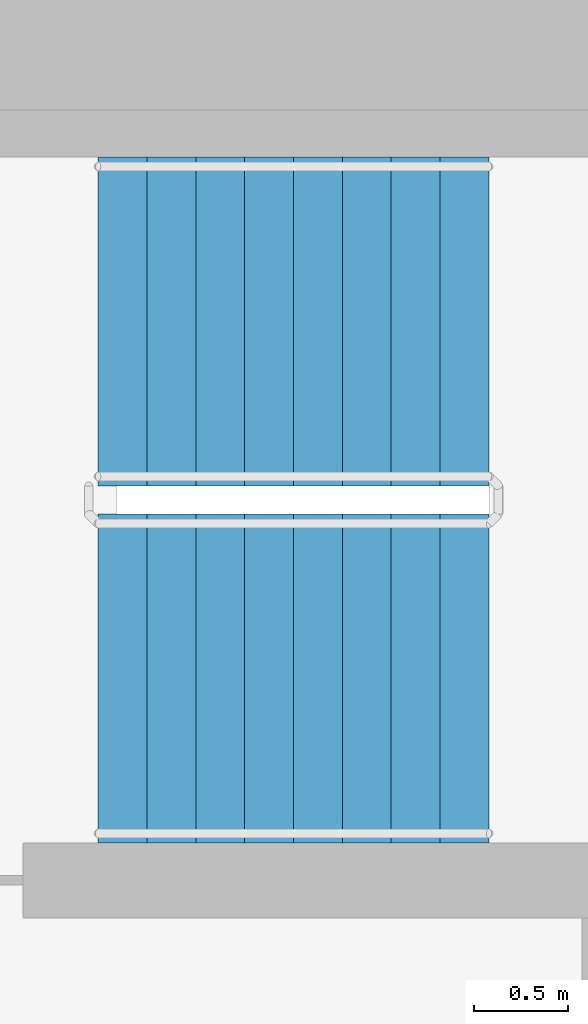
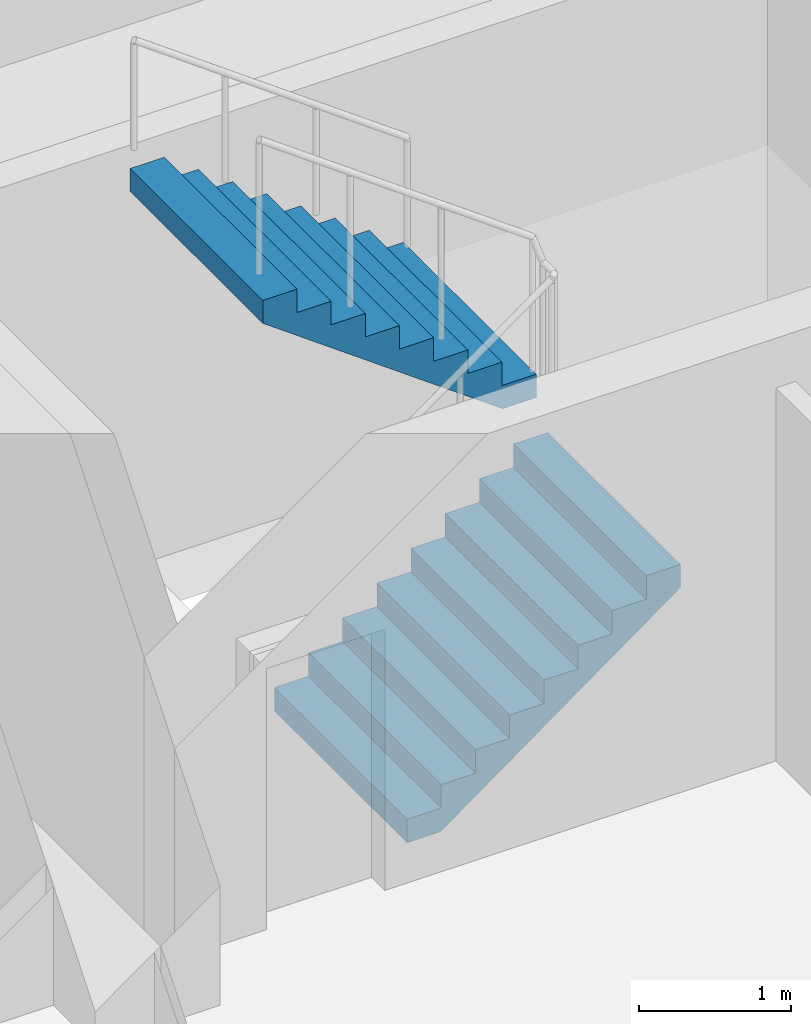
# One storey, part 16 of 21: 2 stair flights, 1 element without a shape of its own.
"""IFC4 building model written with IfcOpenShell, lengths in metres."""

from ifc_helpers import new_model, si_unit, direction, frame, origin, place, context, subcontext, project, spatial, faceted_brep, material, type_object, element, aggregate, save


model = new_model("IFC4")

# Units and contexts
model_context = context("Model", 3, precision=1e-05, world=origin(), true_north=direction((0.0, 1.0)))
body_context = subcontext(model_context, "Body", "Model", "MODEL_VIEW")
ifc_project = project(units=[si_unit("LENGTHUNIT", "METRE"), si_unit("AREAUNIT", "SQUARE_METRE"), si_unit("VOLUMEUNIT", "CUBIC_METRE"), si_unit("PLANEANGLEUNIT", "RADIAN"), si_unit("MASSUNIT", "GRAM", prefix="KILO")], contexts=[model_context])

# Site, building, storey
site_placement = place(None, origin())
site = spatial("IfcSite", under=ifc_project, at=site_placement, CompositionType="ELEMENT")
building_placement = place(site_placement, origin())
building = spatial("IfcBuilding", under=site, at=building_placement, Name="Ipe Terrace Towers", CompositionType="ELEMENT")
storey_placement = place(building_placement, frame((0.0, 0.0, 93.60009765625)))
storey = spatial("IfcBuildingStorey", under=building, at=storey_placement, Name="L25", CompositionType="ELEMENT", Elevation=93.60009765625)

# Stair, stair flights
ifc_material_1 = material(Name="Concrete C30/37", Category="concrete")
stair_type = type_object("IfcStairType", Name="Protected exit stair", PredefinedType="HALF_TURN_STAIR", material=ifc_material_1)
stair_placement = place(storey_placement, origin())
stair = element("IfcStair", 1, at=stair_placement, inside=storey, type_object=stair_type, Name="L25 Exit stair T1-C1", PredefinedType="HALF_TURN_STAIR")
ifc_material_2 = material(Name="Concrete C30/37", Category="concrete")
stair_flight_type = type_object("IfcStairFlightType", Name="Exit stair flight 1750", PredefinedType="STRAIGHT", material=ifc_material_2)
stair_flight_1_placement = place(storey_placement, frame((-26.300048828125, 2.77490234375, 0.0), z_axis=(0.0, 0.0, 1.0), x_axis=(1.0, 0.0, 0.0)))
stair_flight_1 = element("IfcStairFlight", 2, at=stair_flight_1_placement, type_object=stair_flight_type, Name="T1-ST1 flight 1", NumberOfRisers=9, NumberOfTreads=8, PredefinedType="STRAIGHT", RiserHeight=0.188888889, TreadLength=0.26, context=body_context, shape_type="Brep", body=[
    faceted_brep([(0.255126953125, -0.875, 0.0), (2.080078125, -0.875, 1.325927734375), (2.080078125, -0.875, 1.51123046875), (1.820068359375, -0.875, 1.51123046875), (1.820068359375, -0.875, 1.322265625), (1.56005859375, -0.875, 1.322265625), (1.56005859375, -0.875, 1.13330078125), (1.300048828125, -0.875, 1.13330078125), (1.300048828125, -0.875, 0.9443359375), (1.0400390625, -0.875, 0.9443359375), (1.0400390625, -0.875, 0.755615234375), (0.780029296875, -0.875, 0.755615234375), (0.780029296875, -0.875, 0.566650390625), (0.52001953125, -0.875, 0.566650390625), (0.52001953125, -0.875, 0.377685546875), (0.260009765625, -0.875, 0.377685546875), (0.260009765625, -0.875, 0.18896484375), (0.0, -0.875, 0.18896484375), (0.0, -0.875, 0.0), (0.0, 0.875, 0.0), (0.0, 0.875, 0.18896484375), (0.260009765625, 0.875, 0.18896484375), (0.260009765625, 0.875, 0.377685546875), (0.52001953125, 0.875, 0.377685546875), (0.52001953125, 0.875, 0.566650390625), (0.780029296875, 0.875, 0.566650390625), (0.780029296875, 0.875, 0.755615234375), (1.0400390625, 0.875, 0.755615234375), (1.0400390625, 0.875, 0.9443359375), (1.300048828125, 0.875, 0.9443359375), (1.300048828125, 0.875, 1.13330078125), (1.56005859375, 0.875, 1.13330078125), (1.56005859375, 0.875, 1.322265625), (1.820068359375, 0.875, 1.322265625), (1.820068359375, 0.875, 1.51123046875), (2.080078125, 0.875, 1.51123046875), (2.080078125, 0.875, 1.325927734375), (0.255126953125, 0.875, 0.0), (0.0, -0.300048828125, 0.18896484375), (0.0, -0.1201171875, 0.18896484375), (0.0, -0.06005859375, 0.18896484375), (0.0, -0.030029296875, 0.18896484375), (0.0, -0.010009765625, 0.18896484375), (0.0, 0.0, 0.18896484375), (0.0, 0.010009765625, 0.18896484375), (0.0, 0.030029296875, 0.18896484375), (0.0, 0.06005859375, 0.18896484375), (0.0, 0.1201171875, 0.18896484375), (0.0, 0.300048828125, 0.18896484375), (0.0, 0.300048828125, 0.0), (0.0, 0.1201171875, 0.0), (0.0, 0.06005859375, 0.0), (0.0, 0.030029296875, 0.0), (0.0, 0.010009765625, 0.0), (0.0, 0.0, 0.0), (0.0, -0.010009765625, 0.0), (0.0, -0.030029296875, 0.0), (0.0, -0.06005859375, 0.0), (0.0, -0.1201171875, 0.0), (0.0, -0.300048828125, 0.0), (0.260009765625, -0.300048828125, 0.18896484375), (0.260009765625, -0.1201171875, 0.18896484375), (0.260009765625, -0.06005859375, 0.18896484375), (0.260009765625, -0.030029296875, 0.18896484375), (0.260009765625, -0.010009765625, 0.18896484375), (0.260009765625, 0.0, 0.18896484375), (0.260009765625, 0.010009765625, 0.18896484375), (0.260009765625, 0.030029296875, 0.18896484375), (0.260009765625, 0.06005859375, 0.18896484375), (0.260009765625, 0.1201171875, 0.18896484375), (0.260009765625, 0.300048828125, 0.18896484375), (0.260009765625, -0.300048828125, 0.377685546875), (0.260009765625, -0.1201171875, 0.377685546875), (0.260009765625, -0.06005859375, 0.377685546875), (0.260009765625, -0.030029296875, 0.377685546875), (0.260009765625, -0.010009765625, 0.377685546875), (0.260009765625, 0.0, 0.377685546875), (0.260009765625, 0.010009765625, 0.377685546875), (0.260009765625, 0.030029296875, 0.377685546875), (0.260009765625, 0.06005859375, 0.377685546875), (0.260009765625, 0.1201171875, 0.377685546875), (0.260009765625, 0.300048828125, 0.377685546875), (0.52001953125, -0.300048828125, 0.377685546875), (0.52001953125, -0.1201171875, 0.377685546875), (0.52001953125, -0.06005859375, 0.377685546875), (0.52001953125, -0.030029296875, 0.377685546875), (0.52001953125, -0.010009765625, 0.377685546875), (0.52001953125, 0.0, 0.377685546875), (0.52001953125, 0.010009765625, 0.377685546875), (0.52001953125, 0.030029296875, 0.377685546875), (0.52001953125, 0.06005859375, 0.377685546875), (0.52001953125, 0.1201171875, 0.377685546875), (0.52001953125, 0.300048828125, 0.377685546875), (0.52001953125, -0.300048828125, 0.566650390625), (0.52001953125, -0.1201171875, 0.566650390625), (0.52001953125, -0.06005859375, 0.566650390625), (0.52001953125, -0.030029296875, 0.566650390625), (0.52001953125, -0.010009765625, 0.566650390625), (0.52001953125, 0.0, 0.566650390625), (0.52001953125, 0.010009765625, 0.566650390625), (0.52001953125, 0.030029296875, 0.566650390625), (0.52001953125, 0.06005859375, 0.566650390625), (0.52001953125, 0.1201171875, 0.566650390625), (0.52001953125, 0.300048828125, 0.566650390625), (0.780029296875, -0.300048828125, 0.566650390625), (0.780029296875, -0.1201171875, 0.566650390625), (0.780029296875, -0.06005859375, 0.566650390625), (0.780029296875, -0.030029296875, 0.566650390625), (0.780029296875, -0.010009765625, 0.566650390625), (0.780029296875, 0.0, 0.566650390625), (0.780029296875, 0.010009765625, 0.566650390625), (0.780029296875, 0.030029296875, 0.566650390625), (0.780029296875, 0.06005859375, 0.566650390625), (0.780029296875, 0.1201171875, 0.566650390625), (0.780029296875, 0.300048828125, 0.566650390625), (0.780029296875, -0.300048828125, 0.755615234375), (0.780029296875, -0.1201171875, 0.755615234375), (0.780029296875, -0.06005859375, 0.755615234375), (0.780029296875, -0.030029296875, 0.755615234375), (0.780029296875, -0.010009765625, 0.755615234375), (0.780029296875, 0.0, 0.755615234375), (0.780029296875, 0.010009765625, 0.755615234375), (0.780029296875, 0.030029296875, 0.755615234375), (0.780029296875, 0.06005859375, 0.755615234375), (0.780029296875, 0.1201171875, 0.755615234375), (0.780029296875, 0.300048828125, 0.755615234375), (1.0400390625, -0.300048828125, 0.755615234375), (1.0400390625, -0.1201171875, 0.755615234375), (1.0400390625, -0.06005859375, 0.755615234375), (1.0400390625, -0.030029296875, 0.755615234375), (1.0400390625, -0.010009765625, 0.755615234375), (1.0400390625, 0.0, 0.755615234375), (1.0400390625, 0.010009765625, 0.755615234375), (1.0400390625, 0.030029296875, 0.755615234375), (1.0400390625, 0.06005859375, 0.755615234375), (1.0400390625, 0.1201171875, 0.755615234375), (1.0400390625, 0.300048828125, 0.755615234375), (1.0400390625, -0.300048828125, 0.9443359375), (1.0400390625, -0.1201171875, 0.9443359375), (1.0400390625, -0.06005859375, 0.9443359375), (1.0400390625, -0.030029296875, 0.9443359375), (1.0400390625, -0.010009765625, 0.9443359375), (1.0400390625, 0.0, 0.9443359375), (1.0400390625, 0.010009765625, 0.9443359375), (1.0400390625, 0.030029296875, 0.9443359375), (1.0400390625, 0.06005859375, 0.9443359375), (1.0400390625, 0.1201171875, 0.9443359375), (1.0400390625, 0.300048828125, 0.9443359375), (1.300048828125, -0.300048828125, 0.9443359375), (1.300048828125, -0.1201171875, 0.9443359375), (1.300048828125, -0.06005859375, 0.9443359375), (1.300048828125, -0.030029296875, 0.9443359375), (1.300048828125, -0.010009765625, 0.9443359375), (1.300048828125, 0.0, 0.9443359375), (1.300048828125, 0.010009765625, 0.9443359375), (1.300048828125, 0.030029296875, 0.9443359375), (1.300048828125, 0.06005859375, 0.9443359375), (1.300048828125, 0.1201171875, 0.9443359375), (1.300048828125, 0.300048828125, 0.9443359375), (1.300048828125, -0.300048828125, 1.13330078125), (1.300048828125, -0.1201171875, 1.13330078125), (1.300048828125, -0.06005859375, 1.13330078125), (1.300048828125, -0.030029296875, 1.13330078125), (1.300048828125, -0.010009765625, 1.13330078125), (1.300048828125, 0.0, 1.13330078125), (1.300048828125, 0.010009765625, 1.13330078125), (1.300048828125, 0.030029296875, 1.13330078125), (1.300048828125, 0.06005859375, 1.13330078125), (1.300048828125, 0.1201171875, 1.13330078125), (1.300048828125, 0.300048828125, 1.13330078125), (1.56005859375, -0.300048828125, 1.13330078125), (1.56005859375, -0.1201171875, 1.13330078125), (1.56005859375, -0.06005859375, 1.13330078125), (1.56005859375, -0.030029296875, 1.13330078125), (1.56005859375, -0.010009765625, 1.13330078125), (1.56005859375, 0.0, 1.13330078125), (1.56005859375, 0.010009765625, 1.13330078125), (1.56005859375, 0.030029296875, 1.13330078125), (1.56005859375, 0.06005859375, 1.13330078125), (1.56005859375, 0.1201171875, 1.13330078125), (1.56005859375, 0.300048828125, 1.13330078125), (1.56005859375, -0.300048828125, 1.322265625), (1.56005859375, -0.1201171875, 1.322265625), (1.56005859375, -0.06005859375, 1.322265625), (1.56005859375, -0.030029296875, 1.322265625), (1.56005859375, -0.010009765625, 1.322265625), (1.56005859375, 0.0, 1.322265625), (1.56005859375, 0.010009765625, 1.322265625), (1.56005859375, 0.030029296875, 1.322265625), (1.56005859375, 0.06005859375, 1.322265625), (1.56005859375, 0.1201171875, 1.322265625), (1.56005859375, 0.300048828125, 1.322265625), (1.820068359375, -0.300048828125, 1.322265625), (1.820068359375, -0.1201171875, 1.322265625), (1.820068359375, -0.06005859375, 1.322265625), (1.820068359375, -0.030029296875, 1.322265625), (1.820068359375, -0.010009765625, 1.322265625), (1.820068359375, 0.0, 1.322265625), (1.820068359375, 0.010009765625, 1.322265625), (1.820068359375, 0.030029296875, 1.322265625), (1.820068359375, 0.06005859375, 1.322265625), (1.820068359375, 0.1201171875, 1.322265625), (1.820068359375, 0.300048828125, 1.322265625), (1.820068359375, -0.300048828125, 1.51123046875), (1.820068359375, -0.1201171875, 1.51123046875), (1.820068359375, -0.06005859375, 1.51123046875), (1.820068359375, -0.030029296875, 1.51123046875), (1.820068359375, -0.010009765625, 1.51123046875), (1.820068359375, 0.0, 1.51123046875), (1.820068359375, 0.010009765625, 1.51123046875), (1.820068359375, 0.030029296875, 1.51123046875), (1.820068359375, 0.06005859375, 1.51123046875), (1.820068359375, 0.1201171875, 1.51123046875), (1.820068359375, 0.300048828125, 1.51123046875), (2.080078125, -0.300048828125, 1.51123046875), (2.080078125, -0.1201171875, 1.51123046875), (2.080078125, -0.06005859375, 1.51123046875), (2.080078125, -0.030029296875, 1.51123046875), (2.080078125, -0.010009765625, 1.51123046875), (2.080078125, 0.0, 1.51123046875), (2.080078125, 0.010009765625, 1.51123046875), (2.080078125, 0.030029296875, 1.51123046875), (2.080078125, 0.06005859375, 1.51123046875), (2.080078125, 0.1201171875, 1.51123046875), (2.080078125, 0.300048828125, 1.51123046875), (2.080078125, -0.300048828125, 1.325927734375), (2.080078125, -0.1201171875, 1.325927734375), (2.080078125, -0.06005859375, 1.325927734375), (2.080078125, -0.030029296875, 1.325927734375), (2.080078125, -0.010009765625, 1.325927734375), (2.080078125, 0.0, 1.325927734375), (2.080078125, 0.010009765625, 1.325927734375), (2.080078125, 0.030029296875, 1.325927734375), (2.080078125, 0.06005859375, 1.325927734375), (2.080078125, 0.1201171875, 1.325927734375), (2.080078125, 0.300048828125, 1.325927734375), (0.255126953125, -0.300048828125, 0.0), (0.255126953125, -0.1201171875, 0.0), (0.255126953125, -0.06005859375, 0.0), (0.255126953125, -0.030029296875, 0.0), (0.255126953125, -0.010009765625, 0.0), (0.255126953125, 0.0, 0.0), (0.255126953125, 0.010009765625, 0.0), (0.255126953125, 0.030029296875, 0.0), (0.255126953125, 0.06005859375, 0.0), (0.255126953125, 0.1201171875, 0.0), (0.255126953125, 0.300048828125, 0.0)], [[[0, 1, 2, 3, 4, 5, 6, 7, 8, 9, 10, 11, 12, 13, 14, 15, 16, 17, 18]], [[19, 20, 21, 22, 23, 24, 25, 26, 27, 28, 29, 30, 31, 32, 33, 34, 35, 36, 37]], [[17, 38, 39, 40, 41, 42, 43, 44, 45, 46, 47, 48, 20, 19, 49, 50, 51, 52, 53, 54, 55, 56, 57, 58, 59, 18]], [[16, 60, 61, 62, 63, 64, 65, 66, 67, 68, 69, 70, 21, 20, 48, 47, 46, 45, 44, 43, 42, 41, 40, 39, 38, 17]], [[15, 71, 72, 73, 74, 75, 76, 77, 78, 79, 80, 81, 22, 21, 70, 69, 68, 67, 66, 65, 64, 63, 62, 61, 60, 16]], [[14, 82, 83, 84, 85, 86, 87, 88, 89, 90, 91, 92, 23, 22, 81, 80, 79, 78, 77, 76, 75, 74, 73, 72, 71, 15]], [[13, 93, 94, 95, 96, 97, 98, 99, 100, 101, 102, 103, 24, 23, 92, 91, 90, 89, 88, 87, 86, 85, 84, 83, 82, 14]], [[12, 104, 105, 106, 107, 108, 109, 110, 111, 112, 113, 114, 25, 24, 103, 102, 101, 100, 99, 98, 97, 96, 95, 94, 93, 13]], [[11, 115, 116, 117, 118, 119, 120, 121, 122, 123, 124, 125, 26, 25, 114, 113, 112, 111, 110, 109, 108, 107, 106, 105, 104, 12]], [[10, 126, 127, 128, 129, 130, 131, 132, 133, 134, 135, 136, 27, 26, 125, 124, 123, 122, 121, 120, 119, 118, 117, 116, 115, 11]], [[9, 137, 138, 139, 140, 141, 142, 143, 144, 145, 146, 147, 28, 27, 136, 135, 134, 133, 132, 131, 130, 129, 128, 127, 126, 10]], [[8, 148, 149, 150, 151, 152, 153, 154, 155, 156, 157, 158, 29, 28, 147, 146, 145, 144, 143, 142, 141, 140, 139, 138, 137, 9]], [[7, 159, 160, 161, 162, 163, 164, 165, 166, 167, 168, 169, 30, 29, 158, 157, 156, 155, 154, 153, 152, 151, 150, 149, 148, 8]], [[6, 170, 171, 172, 173, 174, 175, 176, 177, 178, 179, 180, 31, 30, 169, 168, 167, 166, 165, 164, 163, 162, 161, 160, 159, 7]], [[5, 181, 182, 183, 184, 185, 186, 187, 188, 189, 190, 191, 32, 31, 180, 179, 178, 177, 176, 175, 174, 173, 172, 171, 170, 6]], [[4, 192, 193, 194, 195, 196, 197, 198, 199, 200, 201, 202, 33, 32, 191, 190, 189, 188, 187, 186, 185, 184, 183, 182, 181, 5]], [[3, 203, 204, 205, 206, 207, 208, 209, 210, 211, 212, 213, 34, 33, 202, 201, 200, 199, 198, 197, 196, 195, 194, 193, 192, 4]], [[2, 214, 215, 216, 217, 218, 219, 220, 221, 222, 223, 224, 35, 34, 213, 212, 211, 210, 209, 208, 207, 206, 205, 204, 203, 3]], [[1, 225, 226, 227, 228, 229, 230, 231, 232, 233, 234, 235, 36, 35, 224, 223, 222, 221, 220, 219, 218, 217, 216, 215, 214, 2]], [[0, 236, 237, 238, 239, 240, 241, 242, 243, 244, 245, 246, 37, 36, 235, 234, 233, 232, 231, 230, 229, 228, 227, 226, 225, 1]], [[18, 59, 58, 57, 56, 55, 54, 53, 52, 51, 50, 49, 19, 37, 246, 245, 244, 243, 242, 241, 240, 239, 238, 237, 236, 0]]]),
])
stair_flight_2_placement = place(storey_placement, frame((-24.219970703125, 4.675048828125, 1.699951171875), z_axis=(0.0, 0.0, 1.0), x_axis=(-1.0, 0.0, 0.0)))
stair_flight_2 = element("IfcStairFlight", 3, at=stair_flight_2_placement, type_object=stair_flight_type, Name="T1-ST1 flight 2", NumberOfRisers=9, NumberOfTreads=8, PredefinedType="STRAIGHT", RiserHeight=0.188888889, TreadLength=0.26, context=body_context, shape_type="Brep", body=[
    faceted_brep([(0.255126953125, -0.875, 0.0), (2.080078125, -0.875, 1.325927734375), (2.080078125, -0.875, 1.51123046875), (1.820068359375, -0.875, 1.51123046875), (1.820068359375, -0.875, 1.322265625), (1.56005859375, -0.875, 1.322265625), (1.56005859375, -0.875, 1.13330078125), (1.300048828125, -0.875, 1.13330078125), (1.300048828125, -0.875, 0.9443359375), (1.0400390625, -0.875, 0.9443359375), (1.0400390625, -0.875, 0.755615234375), (0.780029296875, -0.875, 0.755615234375), (0.780029296875, -0.875, 0.566650390625), (0.52001953125, -0.875, 0.566650390625), (0.52001953125, -0.875, 0.377685546875), (0.260009765625, -0.875, 0.377685546875), (0.260009765625, -0.875, 0.18896484375), (0.0, -0.875, 0.18896484375), (0.0, -0.875, 0.0), (0.0, 0.875, 0.0), (0.0, 0.875, 0.18896484375), (0.260009765625, 0.875, 0.18896484375), (0.260009765625, 0.875, 0.377685546875), (0.52001953125, 0.875, 0.377685546875), (0.52001953125, 0.875, 0.566650390625), (0.780029296875, 0.875, 0.566650390625), (0.780029296875, 0.875, 0.755615234375), (1.0400390625, 0.875, 0.755615234375), (1.0400390625, 0.875, 0.9443359375), (1.300048828125, 0.875, 0.9443359375), (1.300048828125, 0.875, 1.13330078125), (1.56005859375, 0.875, 1.13330078125), (1.56005859375, 0.875, 1.322265625), (1.820068359375, 0.875, 1.322265625), (1.820068359375, 0.875, 1.51123046875), (2.080078125, 0.875, 1.51123046875), (2.080078125, 0.875, 1.325927734375), (0.255126953125, 0.875, 0.0), (0.0, -0.300048828125, 0.18896484375), (0.0, -0.1201171875, 0.18896484375), (0.0, -0.06005859375, 0.18896484375), (0.0, -0.030029296875, 0.18896484375), (0.0, -0.010009765625, 0.18896484375), (0.0, 0.0, 0.18896484375), (0.0, 0.010009765625, 0.18896484375), (0.0, 0.030029296875, 0.18896484375), (0.0, 0.06005859375, 0.18896484375), (0.0, 0.1201171875, 0.18896484375), (0.0, 0.300048828125, 0.18896484375), (0.0, 0.300048828125, 0.0), (0.0, 0.1201171875, 0.0), (0.0, 0.06005859375, 0.0), (0.0, 0.030029296875, 0.0), (0.0, 0.010009765625, 0.0), (0.0, 0.0, 0.0), (0.0, -0.010009765625, 0.0), (0.0, -0.030029296875, 0.0), (0.0, -0.06005859375, 0.0), (0.0, -0.1201171875, 0.0), (0.0, -0.300048828125, 0.0), (0.260009765625, -0.300048828125, 0.18896484375), (0.260009765625, -0.1201171875, 0.18896484375), (0.260009765625, -0.06005859375, 0.18896484375), (0.260009765625, -0.030029296875, 0.18896484375), (0.260009765625, -0.010009765625, 0.18896484375), (0.260009765625, 0.0, 0.18896484375), (0.260009765625, 0.010009765625, 0.18896484375), (0.260009765625, 0.030029296875, 0.18896484375), (0.260009765625, 0.06005859375, 0.18896484375), (0.260009765625, 0.1201171875, 0.18896484375), (0.260009765625, 0.300048828125, 0.18896484375), (0.260009765625, -0.300048828125, 0.377685546875), (0.260009765625, -0.1201171875, 0.377685546875), (0.260009765625, -0.06005859375, 0.377685546875), (0.260009765625, -0.030029296875, 0.377685546875), (0.260009765625, -0.010009765625, 0.377685546875), (0.260009765625, 0.0, 0.377685546875), (0.260009765625, 0.010009765625, 0.377685546875), (0.260009765625, 0.030029296875, 0.377685546875), (0.260009765625, 0.06005859375, 0.377685546875), (0.260009765625, 0.1201171875, 0.377685546875), (0.260009765625, 0.300048828125, 0.377685546875), (0.52001953125, -0.300048828125, 0.377685546875), (0.52001953125, -0.1201171875, 0.377685546875), (0.52001953125, -0.06005859375, 0.377685546875), (0.52001953125, -0.030029296875, 0.377685546875), (0.52001953125, -0.010009765625, 0.377685546875), (0.52001953125, 0.0, 0.377685546875), (0.52001953125, 0.010009765625, 0.377685546875), (0.52001953125, 0.030029296875, 0.377685546875), (0.52001953125, 0.06005859375, 0.377685546875), (0.52001953125, 0.1201171875, 0.377685546875), (0.52001953125, 0.300048828125, 0.377685546875), (0.52001953125, -0.300048828125, 0.566650390625), (0.52001953125, -0.1201171875, 0.566650390625), (0.52001953125, -0.06005859375, 0.566650390625), (0.52001953125, -0.030029296875, 0.566650390625), (0.52001953125, -0.010009765625, 0.566650390625), (0.52001953125, 0.0, 0.566650390625), (0.52001953125, 0.010009765625, 0.566650390625), (0.52001953125, 0.030029296875, 0.566650390625), (0.52001953125, 0.06005859375, 0.566650390625), (0.52001953125, 0.1201171875, 0.566650390625), (0.52001953125, 0.300048828125, 0.566650390625), (0.780029296875, -0.300048828125, 0.566650390625), (0.780029296875, -0.1201171875, 0.566650390625), (0.780029296875, -0.06005859375, 0.566650390625), (0.780029296875, -0.030029296875, 0.566650390625), (0.780029296875, -0.010009765625, 0.566650390625), (0.780029296875, 0.0, 0.566650390625), (0.780029296875, 0.010009765625, 0.566650390625), (0.780029296875, 0.030029296875, 0.566650390625), (0.780029296875, 0.06005859375, 0.566650390625), (0.780029296875, 0.1201171875, 0.566650390625), (0.780029296875, 0.300048828125, 0.566650390625), (0.780029296875, -0.300048828125, 0.755615234375), (0.780029296875, -0.1201171875, 0.755615234375), (0.780029296875, -0.06005859375, 0.755615234375), (0.780029296875, -0.030029296875, 0.755615234375), (0.780029296875, -0.010009765625, 0.755615234375), (0.780029296875, 0.0, 0.755615234375), (0.780029296875, 0.010009765625, 0.755615234375), (0.780029296875, 0.030029296875, 0.755615234375), (0.780029296875, 0.06005859375, 0.755615234375), (0.780029296875, 0.1201171875, 0.755615234375), (0.780029296875, 0.300048828125, 0.755615234375), (1.0400390625, -0.300048828125, 0.755615234375), (1.0400390625, -0.1201171875, 0.755615234375), (1.0400390625, -0.06005859375, 0.755615234375), (1.0400390625, -0.030029296875, 0.755615234375), (1.0400390625, -0.010009765625, 0.755615234375), (1.0400390625, 0.0, 0.755615234375), (1.0400390625, 0.010009765625, 0.755615234375), (1.0400390625, 0.030029296875, 0.755615234375), (1.0400390625, 0.06005859375, 0.755615234375), (1.0400390625, 0.1201171875, 0.755615234375), (1.0400390625, 0.300048828125, 0.755615234375), (1.0400390625, -0.300048828125, 0.9443359375), (1.0400390625, -0.1201171875, 0.9443359375), (1.0400390625, -0.06005859375, 0.9443359375), (1.0400390625, -0.030029296875, 0.9443359375), (1.0400390625, -0.010009765625, 0.9443359375), (1.0400390625, 0.0, 0.9443359375), (1.0400390625, 0.010009765625, 0.9443359375), (1.0400390625, 0.030029296875, 0.9443359375), (1.0400390625, 0.06005859375, 0.9443359375), (1.0400390625, 0.1201171875, 0.9443359375), (1.0400390625, 0.300048828125, 0.9443359375), (1.300048828125, -0.300048828125, 0.9443359375), (1.300048828125, -0.1201171875, 0.9443359375), (1.300048828125, -0.06005859375, 0.9443359375), (1.300048828125, -0.030029296875, 0.9443359375), (1.300048828125, -0.010009765625, 0.9443359375), (1.300048828125, 0.0, 0.9443359375), (1.300048828125, 0.010009765625, 0.9443359375), (1.300048828125, 0.030029296875, 0.9443359375), (1.300048828125, 0.06005859375, 0.9443359375), (1.300048828125, 0.1201171875, 0.9443359375), (1.300048828125, 0.300048828125, 0.9443359375), (1.300048828125, -0.300048828125, 1.13330078125), (1.300048828125, -0.1201171875, 1.13330078125), (1.300048828125, -0.06005859375, 1.13330078125), (1.300048828125, -0.030029296875, 1.13330078125), (1.300048828125, -0.010009765625, 1.13330078125), (1.300048828125, 0.0, 1.13330078125), (1.300048828125, 0.010009765625, 1.13330078125), (1.300048828125, 0.030029296875, 1.13330078125), (1.300048828125, 0.06005859375, 1.13330078125), (1.300048828125, 0.1201171875, 1.13330078125), (1.300048828125, 0.300048828125, 1.13330078125), (1.56005859375, -0.300048828125, 1.13330078125), (1.56005859375, -0.1201171875, 1.13330078125), (1.56005859375, -0.06005859375, 1.13330078125), (1.56005859375, -0.030029296875, 1.13330078125), (1.56005859375, -0.010009765625, 1.13330078125), (1.56005859375, 0.0, 1.13330078125), (1.56005859375, 0.010009765625, 1.13330078125), (1.56005859375, 0.030029296875, 1.13330078125), (1.56005859375, 0.06005859375, 1.13330078125), (1.56005859375, 0.1201171875, 1.13330078125), (1.56005859375, 0.300048828125, 1.13330078125), (1.56005859375, -0.300048828125, 1.322265625), (1.56005859375, -0.1201171875, 1.322265625), (1.56005859375, -0.06005859375, 1.322265625), (1.56005859375, -0.030029296875, 1.322265625), (1.56005859375, -0.010009765625, 1.322265625), (1.56005859375, 0.0, 1.322265625), (1.56005859375, 0.010009765625, 1.322265625), (1.56005859375, 0.030029296875, 1.322265625), (1.56005859375, 0.06005859375, 1.322265625), (1.56005859375, 0.1201171875, 1.322265625), (1.56005859375, 0.300048828125, 1.322265625), (1.820068359375, -0.300048828125, 1.322265625), (1.820068359375, -0.1201171875, 1.322265625), (1.820068359375, -0.06005859375, 1.322265625), (1.820068359375, -0.030029296875, 1.322265625), (1.820068359375, -0.010009765625, 1.322265625), (1.820068359375, 0.0, 1.322265625), (1.820068359375, 0.010009765625, 1.322265625), (1.820068359375, 0.030029296875, 1.322265625), (1.820068359375, 0.06005859375, 1.322265625), (1.820068359375, 0.1201171875, 1.322265625), (1.820068359375, 0.300048828125, 1.322265625), (1.820068359375, -0.300048828125, 1.51123046875), (1.820068359375, -0.1201171875, 1.51123046875), (1.820068359375, -0.06005859375, 1.51123046875), (1.820068359375, -0.030029296875, 1.51123046875), (1.820068359375, -0.010009765625, 1.51123046875), (1.820068359375, 0.0, 1.51123046875), (1.820068359375, 0.010009765625, 1.51123046875), (1.820068359375, 0.030029296875, 1.51123046875), (1.820068359375, 0.06005859375, 1.51123046875), (1.820068359375, 0.1201171875, 1.51123046875), (1.820068359375, 0.300048828125, 1.51123046875), (2.080078125, -0.300048828125, 1.51123046875), (2.080078125, -0.1201171875, 1.51123046875), (2.080078125, -0.06005859375, 1.51123046875), (2.080078125, -0.030029296875, 1.51123046875), (2.080078125, -0.010009765625, 1.51123046875), (2.080078125, 0.0, 1.51123046875), (2.080078125, 0.010009765625, 1.51123046875), (2.080078125, 0.030029296875, 1.51123046875), (2.080078125, 0.06005859375, 1.51123046875), (2.080078125, 0.1201171875, 1.51123046875), (2.080078125, 0.300048828125, 1.51123046875), (2.080078125, -0.300048828125, 1.325927734375), (2.080078125, -0.1201171875, 1.325927734375), (2.080078125, -0.06005859375, 1.325927734375), (2.080078125, -0.030029296875, 1.325927734375), (2.080078125, -0.010009765625, 1.325927734375), (2.080078125, 0.0, 1.325927734375), (2.080078125, 0.010009765625, 1.325927734375), (2.080078125, 0.030029296875, 1.325927734375), (2.080078125, 0.06005859375, 1.325927734375), (2.080078125, 0.1201171875, 1.325927734375), (2.080078125, 0.300048828125, 1.325927734375), (0.255126953125, -0.300048828125, 0.0), (0.255126953125, -0.1201171875, 0.0), (0.255126953125, -0.06005859375, 0.0), (0.255126953125, -0.030029296875, 0.0), (0.255126953125, -0.010009765625, 0.0), (0.255126953125, 0.0, 0.0), (0.255126953125, 0.010009765625, 0.0), (0.255126953125, 0.030029296875, 0.0), (0.255126953125, 0.06005859375, 0.0), (0.255126953125, 0.1201171875, 0.0), (0.255126953125, 0.300048828125, 0.0)], [[[0, 1, 2, 3, 4, 5, 6, 7, 8, 9, 10, 11, 12, 13, 14, 15, 16, 17, 18]], [[19, 20, 21, 22, 23, 24, 25, 26, 27, 28, 29, 30, 31, 32, 33, 34, 35, 36, 37]], [[17, 38, 39, 40, 41, 42, 43, 44, 45, 46, 47, 48, 20, 19, 49, 50, 51, 52, 53, 54, 55, 56, 57, 58, 59, 18]], [[16, 60, 61, 62, 63, 64, 65, 66, 67, 68, 69, 70, 21, 20, 48, 47, 46, 45, 44, 43, 42, 41, 40, 39, 38, 17]], [[15, 71, 72, 73, 74, 75, 76, 77, 78, 79, 80, 81, 22, 21, 70, 69, 68, 67, 66, 65, 64, 63, 62, 61, 60, 16]], [[14, 82, 83, 84, 85, 86, 87, 88, 89, 90, 91, 92, 23, 22, 81, 80, 79, 78, 77, 76, 75, 74, 73, 72, 71, 15]], [[13, 93, 94, 95, 96, 97, 98, 99, 100, 101, 102, 103, 24, 23, 92, 91, 90, 89, 88, 87, 86, 85, 84, 83, 82, 14]], [[12, 104, 105, 106, 107, 108, 109, 110, 111, 112, 113, 114, 25, 24, 103, 102, 101, 100, 99, 98, 97, 96, 95, 94, 93, 13]], [[11, 115, 116, 117, 118, 119, 120, 121, 122, 123, 124, 125, 26, 25, 114, 113, 112, 111, 110, 109, 108, 107, 106, 105, 104, 12]], [[10, 126, 127, 128, 129, 130, 131, 132, 133, 134, 135, 136, 27, 26, 125, 124, 123, 122, 121, 120, 119, 118, 117, 116, 115, 11]], [[9, 137, 138, 139, 140, 141, 142, 143, 144, 145, 146, 147, 28, 27, 136, 135, 134, 133, 132, 131, 130, 129, 128, 127, 126, 10]], [[8, 148, 149, 150, 151, 152, 153, 154, 155, 156, 157, 158, 29, 28, 147, 146, 145, 144, 143, 142, 141, 140, 139, 138, 137, 9]], [[7, 159, 160, 161, 162, 163, 164, 165, 166, 167, 168, 169, 30, 29, 158, 157, 156, 155, 154, 153, 152, 151, 150, 149, 148, 8]], [[6, 170, 171, 172, 173, 174, 175, 176, 177, 178, 179, 180, 31, 30, 169, 168, 167, 166, 165, 164, 163, 162, 161, 160, 159, 7]], [[5, 181, 182, 183, 184, 185, 186, 187, 188, 189, 190, 191, 32, 31, 180, 179, 178, 177, 176, 175, 174, 173, 172, 171, 170, 6]], [[4, 192, 193, 194, 195, 196, 197, 198, 199, 200, 201, 202, 33, 32, 191, 190, 189, 188, 187, 186, 185, 184, 183, 182, 181, 5]], [[3, 203, 204, 205, 206, 207, 208, 209, 210, 211, 212, 213, 34, 33, 202, 201, 200, 199, 198, 197, 196, 195, 194, 193, 192, 4]], [[2, 214, 215, 216, 217, 218, 219, 220, 221, 222, 223, 224, 35, 34, 213, 212, 211, 210, 209, 208, 207, 206, 205, 204, 203, 3]], [[1, 225, 226, 227, 228, 229, 230, 231, 232, 233, 234, 235, 36, 35, 224, 223, 222, 221, 220, 219, 218, 217, 216, 215, 214, 2]], [[0, 236, 237, 238, 239, 240, 241, 242, 243, 244, 245, 246, 37, 36, 235, 234, 233, 232, 231, 230, 229, 228, 227, 226, 225, 1]], [[18, 59, 58, 57, 56, 55, 54, 53, 52, 51, 50, 49, 19, 37, 246, 245, 244, 243, 242, 241, 240, 239, 238, 237, 236, 0]]]),
])
aggregate(stair, [stair_flight_1, stair_flight_2])

save(model, "model.ifc")
